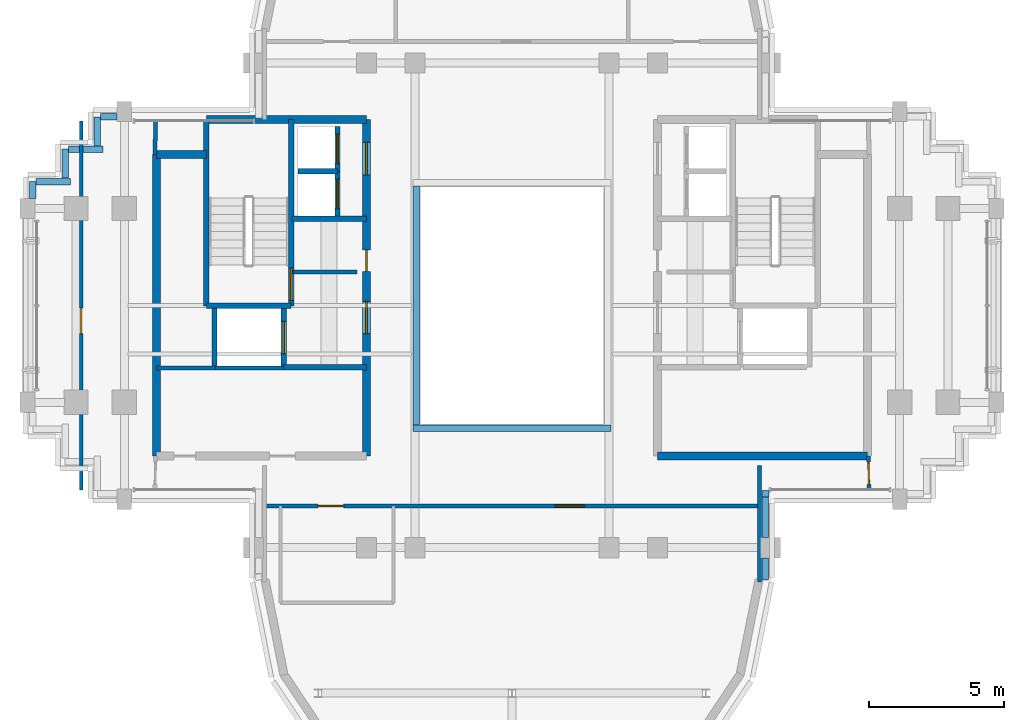
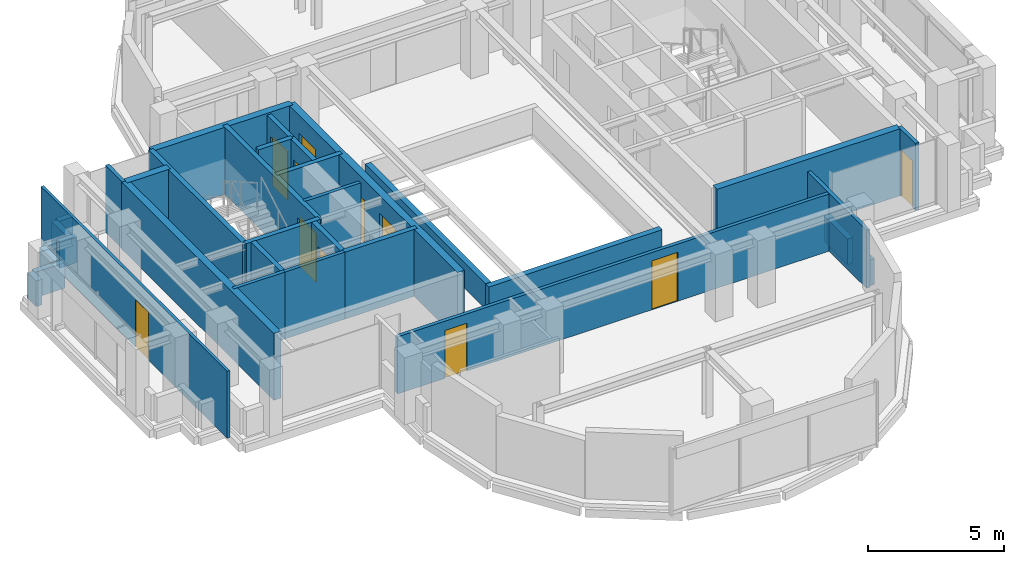
# One storey, part 8 of 12: 35 walls, 11 doors, 11 openings.
"""IFC4 building model written with IfcOpenShell, lengths in metres."""

from ifc_helpers import new_model, si_unit, direction, frame, frame_2d, origin, place, context, subcontext, project, spatial, rectangle, extrude, source, transform, mapped, material, layer, layer_set, type_object, element, fill, save


model = new_model("IFC4")

# Units and contexts
model_context = context("Model", 3, precision=1e-05, world=origin(), true_north=direction((0.0, 1.0)))
body_context = subcontext(model_context, "Body", "Model", "MODEL_VIEW")
ifc_project = project(units=[si_unit("LENGTHUNIT", "METRE"), si_unit("AREAUNIT", "SQUARE_METRE"), si_unit("VOLUMEUNIT", "CUBIC_METRE"), si_unit("PLANEANGLEUNIT", "RADIAN"), si_unit("MASSUNIT", "GRAM", prefix="KILO")], contexts=[model_context])

# Site, building, storey
site_placement = place(None, origin())
site = spatial("IfcSite", under=ifc_project, at=site_placement, CompositionType="ELEMENT")
building_placement = place(site_placement, origin())
building = spatial("IfcBuilding", under=site, at=building_placement, Name="Keilestroom Media Tower", CompositionType="ELEMENT")
storey_placement = place(building_placement, frame((0.0, 0.0, 246.0)))
storey = spatial("IfcBuildingStorey", under=building, at=storey_placement, Name="L68", CompositionType="ELEMENT", Elevation=246.0)

# Wall, opening, door
ifc_material_1 = material(Name="Gypsum Plasterboard & Steel Stud", Category="steel")
ifc_layer_1 = layer(ifc_material_1, 0.1201171875)
ifc_layer_set_1 = layer_set([ifc_layer_1], Name="Gypsum Plasterboard & Steel Stud")
wall_type_1 = type_object("IfcWallType", Name="Interior-Partition-Wall-120", PredefinedType="PARTITIONING", material=ifc_layer_set_1)
wall_1_placement = place(storey_placement, frame((-16.0, -6.85009765625, 0.0), z_axis=(0.0, 0.0, 1.0), x_axis=(0.0, 1.0, 0.0)))
wall_1 = element("IfcWall", 1, at=wall_1_placement, inside=storey, type_object=wall_type_1, Name="L68 Interior Wall WP-L68-WA-V", PredefinedType="PARTITIONING", context=body_context, shape_type="SweptSolid", body=[
    extrude(rectangle(XDim=13.7001953125, YDim=0.1201171875, at=frame_2d((6.85009765625, 0.0))), origin(), (0.0, 0.0, 1.0), 3.010009765625),
])
opening_1_placement = place(wall_1_placement, frame((5.800048828125, 0.0, 0.0)))
opening_1 = element("IfcOpeningElement", 2, at=opening_1_placement, cuts=wall_1, Name="Opening DI-03", PredefinedType="OPENING", context=body_context, shape_type="SweptSolid", body=[
    extrude(rectangle(XDim=0.949951171875, YDim=2.14990234375, at=frame_2d((0.47509765625, 1.074951171875))), frame((0.0, 0.070068359375, 0.0), z_axis=(0.0, -1.0, 0.0), x_axis=(1.0, 0.0, 0.0)), (0.0, 0.0, 1.0), 0.14013671875),
])
ifc_material_2 = material(Name="Lacquered European Oak Leaf", Category="wood")
door_type_1 = type_object("IfcDoorType", Name="Interior-Room-And-Suite-Door-DI-03", OperationType="NOTDEFINED", PredefinedType="DOOR", material=ifc_material_2)
shared_shape_1 = source(origin(), body_context, "Body", "SweptSolid", [
    extrude(rectangle(XDim=0.949951171875, YDim=2.14990234375, at=frame_2d((0.47509765625, 1.074951171875))), frame((0.0, 0.02490234375, 0.0), z_axis=(0.0, -1.0, 0.0), x_axis=(1.0, 0.0, 0.0)), (0.0, 0.0, 1.0), 0.050048828125),
])
door_1_placement = place(opening_1_placement, origin())
door_1 = element("IfcDoor", 3, at=door_1_placement, inside=storey, type_object=door_type_1, Name="L68 Interior Door DI-L68-DWA-W", OperationType="SINGLE_SWING_LEFT", OverallHeight=2.14990234375, OverallWidth=0.949951171875, PredefinedType="DOOR", context=body_context, shape_type="MappedRepresentation", body=[
    mapped(shared_shape_1, transform((0.0, 0.0, 0.0), x_axis=(1.0, 0.0, 0.0), y_axis=(0.0, 1.0, 0.0), z_axis=(0.0, 0.0, 1.0), scale=1.0)),
])
fill(opening_1, door_1)

# Walls
ifc_layer_2 = layer(ifc_material_1, 0.14990234375)
ifc_layer_set_2 = layer_set([ifc_layer_2], Name="Gypsum Plasterboard & Steel Stud")
wall_type_2 = type_object("IfcWallType", Name="Interior-Partition-Wall-150", PredefinedType="PARTITIONING", material=ifc_layer_set_2)
wall_2_placement = place(storey_placement, frame((-8.139892578125, 1.239990234375, 0.0), z_axis=(0.0, 0.0, 1.0), x_axis=(1.0, 0.0, 0.0)))
element("IfcWall", 4, at=wall_2_placement, inside=storey, type_object=wall_type_2, Name="L68 Interior Wall WP-L68-FFW-TOP", PredefinedType="PARTITIONING", context=body_context, shape_type="SweptSolid", body=[
    extrude(rectangle(XDim=2.389892578125, YDim=0.14990234375, at=frame_2d((1.19482421875, 0.0))), origin(), (0.0, 0.0, 1.0), 3.010009765625),
])
wall_3_placement = place(storey_placement, frame((-13.199951171875, -2.320068359375, 0.0), z_axis=(0.0, 0.0, 1.0), x_axis=(1.0, 0.0, 0.0)))
element("IfcWall", 5, at=wall_3_placement, inside=storey, type_object=wall_type_2, Name="L68 Interior Wall WP-L68-RECLW-N", PredefinedType="PARTITIONING", context=body_context, shape_type="SweptSolid", body=[
    extrude(rectangle(XDim=2.179931640625, YDim=0.14990234375, at=frame_2d((1.08984375, 0.0))), origin(), (0.0, 0.0, 1.0), 3.010009765625),
])
wall_4_placement = place(storey_placement, frame((-11.0400390625, -2.320068359375, 0.0), z_axis=(0.0, 0.0, 1.0), x_axis=(1.0, 0.0, 0.0)))
element("IfcWall", 6, at=wall_4_placement, inside=storey, type_object=wall_type_2, Name="L68 Interior Wall WP-L68-RECMW-N", PredefinedType="PARTITIONING", context=body_context, shape_type="SweptSolid", body=[
    extrude(rectangle(XDim=2.56005859375, YDim=0.14990234375, at=frame_2d((1.280029296875, 0.0))), origin(), (0.0, 0.0, 1.0), 3.010009765625),
])

# Wall, openings, doors
wall_5_placement = place(storey_placement, frame((-9.199951171875, -7.449951171875, 0.0), z_axis=(0.0, 0.0, 1.0), x_axis=(1.0, 0.0, 0.0)))
wall_5 = element("IfcWall", 7, at=wall_5_placement, inside=storey, type_object=wall_type_2, Name="L68 Interior Wall WP-L68-SL-BASE", PredefinedType="PARTITIONING", context=body_context, shape_type="SweptSolid", body=[
    extrude(rectangle(XDim=18.39990234375, YDim=0.14990234375, at=frame_2d((9.199951171875, 0.0))), origin(), (0.0, 0.0, 1.0), 2.570068359375),
])
opening_2_placement = place(wall_5_placement, frame((2.0, 0.0, 0.0)))
opening_2 = element("IfcOpeningElement", 8, at=opening_2_placement, cuts=wall_5, Name="Opening DI-03", PredefinedType="OPENING", context=body_context, shape_type="SweptSolid", body=[
    extrude(rectangle(XDim=0.949951171875, YDim=2.14990234375, at=frame_2d((0.47509765625, 1.074951171875))), frame((0.0, 0.0849609375, 0.0), z_axis=(0.0, -1.0, 0.0), x_axis=(1.0, 0.0, 0.0)), (0.0, 0.0, 1.0), 0.169921875),
])
opening_3_placement = place(wall_5_placement, frame((10.800048828125, 0.0, 0.0)))
opening_3 = element("IfcOpeningElement", 9, at=opening_3_placement, cuts=wall_5, Name="Opening DI-04", PredefinedType="OPENING", context=body_context, shape_type="SweptSolid", body=[
    extrude(rectangle(XDim=1.10009765625, YDim=2.199951171875, at=frame_2d((0.550048828125, 1.10009765625))), frame((0.0, 0.0849609375, 0.0), z_axis=(0.0, -1.0, 0.0), x_axis=(1.0, 0.0, 0.0)), (0.0, 0.0, 1.0), 0.169921875),
])
door_2_placement = place(opening_2_placement, origin())
door_2 = element("IfcDoor", 10, at=door_2_placement, inside=storey, type_object=door_type_1, Name="L68 Interior Door DI-L68-DSL-WC4", OperationType="SINGLE_SWING_RIGHT", OverallHeight=2.14990234375, OverallWidth=0.949951171875, PredefinedType="DOOR", context=body_context, shape_type="MappedRepresentation", body=[
    mapped(shared_shape_1, transform((0.0, 0.0, 0.0), x_axis=(1.0, 0.0, 0.0), y_axis=(0.0, 1.0, 0.0), z_axis=(0.0, 0.0, 1.0), scale=1.0)),
])
fill(opening_2, door_2)
ifc_material_3 = material(Name="Acoustic Glazed Aluminium Leaf", Category="aluminium")
door_type_2 = type_object("IfcDoorType", Name="Interior-Room-And-Suite-Door-DI-04", OperationType="NOTDEFINED", PredefinedType="DOOR", material=ifc_material_3)
shared_shape_2 = source(origin(), body_context, "Body", "SweptSolid", [
    extrude(rectangle(XDim=1.10009765625, YDim=2.199951171875, at=frame_2d((0.550048828125, 1.10009765625))), frame((0.0, 0.02490234375, 0.0), z_axis=(0.0, -1.0, 0.0), x_axis=(1.0, 0.0, 0.0)), (0.0, 0.0, 1.0), 0.050048828125),
])
door_3_placement = place(opening_3_placement, origin())
door_3 = element("IfcDoor", 11, at=door_3_placement, inside=storey, type_object=door_type_2, Name="L68 Interior Door DI-L68-DSL-RR", OperationType="SINGLE_SWING_LEFT", OverallHeight=2.199951171875, OverallWidth=1.10009765625, PredefinedType="DOOR", context=body_context, shape_type="MappedRepresentation", body=[
    mapped(shared_shape_2, transform((0.0, 0.0, 0.0), x_axis=(1.0, 0.0, 0.0), y_axis=(0.0, 1.0, 0.0), z_axis=(0.0, 0.0, 1.0), scale=1.0)),
])
fill(opening_3, door_3)

# Walls
wall_6_placement = place(storey_placement, frame((9.199951171875, -10.280029296875, 0.0), z_axis=(0.0, 0.0, 1.0), x_axis=(0.0, 1.0, 0.0)))
element("IfcWall", 12, at=wall_6_placement, inside=storey, type_object=wall_type_2, Name="L68 Interior Wall WP-L68-SL-CHKE", PredefinedType="PARTITIONING", context=body_context, shape_type="SweptSolid", body=[
    extrude(rectangle(XDim=4.340087890625, YDim=0.14990234375, at=frame_2d((2.169921875, 0.0))), origin(), (0.0, 0.0, 1.0), 2.610107421875),
])
wall_7_placement = place(storey_placement, frame((-13.260009765625, 5.60009765625, 0.0), z_axis=(0.0, 0.0, 1.0), x_axis=(0.016013571389, 0.999871774545, 0.0)))
element("IfcWall", 13, at=wall_7_placement, inside=storey, type_object=wall_type_2, Name="L68 Interior Wall WP-L68-WA-ENTN", PredefinedType="PARTITIONING", context=body_context, shape_type="SweptSolid", body=[
    extrude(rectangle(XDim=1.250244140625, YDim=0.14990234375, at=frame_2d((0.625, 0.0))), origin(), (0.0, 0.0, 1.0), 3.010009765625),
])

# Wall, opening, door
wall_8_placement = place(storey_placement, frame((13.260009765625, -6.85009765625, 0.0), z_axis=(0.0, 0.0, 1.0), x_axis=(-0.016013571389, 0.999871774545, 0.0)))
wall_8 = element("IfcWall", 14, at=wall_8_placement, inside=storey, type_object=wall_type_2, Name="L68 Interior Wall WP-L68-EA-ENTS", PredefinedType="PARTITIONING", context=body_context, shape_type="SweptSolid", body=[
    extrude(rectangle(XDim=1.250244140625, YDim=0.14990234375, at=frame_2d((0.625, 0.0))), origin(), (0.0, 0.0, 1.0), 3.010009765625),
])
opening_4_placement = place(wall_8_placement, frame((0.199951171875, 0.0, 0.0)))
opening_4 = element("IfcOpeningElement", 15, at=opening_4_placement, cuts=wall_8, Name="Opening DI-05", PredefinedType="OPENING", context=body_context, shape_type="SweptSolid", body=[
    extrude(rectangle(XDim=0.85009765625, YDim=2.10009765625, at=frame_2d((0.425048828125, 1.050048828125))), frame((0.0, 0.0849609375, 0.0), z_axis=(0.0, -1.0, 0.0), x_axis=(1.0, 0.0, 0.0)), (0.0, 0.0, 1.0), 0.169921875),
])
ifc_material_4 = material(Name="Moisture-Resistant Oak Leaf", Category="wood")
door_type_3 = type_object("IfcDoorType", Name="Interior-En-Suite-And-Cupboard-Door-DI-05", OperationType="NOTDEFINED", PredefinedType="DOOR", material=ifc_material_4)
shared_shape_3 = source(origin(), body_context, "Body", "SweptSolid", [
    extrude(rectangle(XDim=0.85009765625, YDim=2.10009765625, at=frame_2d((0.425048828125, 1.050048828125))), frame((0.0, 0.02490234375, 0.0), z_axis=(0.0, -1.0, 0.0), x_axis=(1.0, 0.0, 0.0)), (0.0, 0.0, 1.0), 0.050048828125),
])
door_4_placement = place(opening_4_placement, origin())
door_4 = element("IfcDoor", 16, at=door_4_placement, inside=storey, type_object=door_type_3, Name="L68 Interior Door DI-L68-DEA-S", OperationType="SINGLE_SWING_RIGHT", OverallHeight=2.10009765625, OverallWidth=0.85009765625, PredefinedType="DOOR", context=body_context, shape_type="MappedRepresentation", body=[
    mapped(shared_shape_3, transform((0.0, 0.0, 0.0), x_axis=(1.0, 0.0, 0.0), y_axis=(0.0, 1.0, 0.0), z_axis=(0.0, 0.0, 1.0), scale=1.0)),
])
fill(opening_4, door_4)

# Wall
ifc_material_5 = material(Name="Concrete C50/60", Category="concrete")
ifc_layer_3 = layer(ifc_material_5, 0.300048828125)
ifc_layer_set_3 = layer_set([ifc_layer_3], Name="Concrete C50/60")
wall_type_3 = type_object("IfcWallType", Name="Reinforced-Concrete-Core-Shear-Wall-300", PredefinedType="SHEAR", material=ifc_layer_set_3)
wall_9_placement = place(storey_placement, frame((-13.199951171875, -5.60009765625, 0.0), z_axis=(0.0, 0.0, 1.0), x_axis=(0.0, 1.0, 0.0)))
element("IfcWall", 17, at=wall_9_placement, inside=storey, type_object=wall_type_3, Name="L68 Core Shear Wall WL-L68-CORE-W-OUT", PredefinedType="SHEAR", context=body_context, shape_type="SweptSolid", body=[
    extrude(rectangle(XDim=11.2001953125, YDim=0.300048828125, at=frame_2d((5.60009765625, 0.0))), origin(), (0.0, 0.0, 1.0), 3.010009765625),
])

# Wall, openings, doors
wall_10_placement = place(storey_placement, frame((-5.39990234375, -5.60009765625, 0.0), z_axis=(0.0, 0.0, 1.0), x_axis=(0.0, 1.0, 0.0)))
wall_10 = element("IfcWall", 18, at=wall_10_placement, inside=storey, type_object=wall_type_3, Name="L68 Core Shear Wall WL-L68-CORE-W-IN", PredefinedType="SHEAR", context=body_context, shape_type="SweptSolid", body=[
    extrude(rectangle(XDim=12.5, YDim=0.300048828125, at=frame_2d((6.25, 0.0))), origin(), (0.0, 0.0, 1.0), 3.010009765625),
])
opening_5_placement = place(wall_10_placement, frame((4.550048828125, 0.0, 0.0)))
opening_5 = element("IfcOpeningElement", 19, at=opening_5_placement, cuts=wall_10, Name="Opening DI-02", PredefinedType="OPENING", context=body_context, shape_type="SweptSolid", body=[
    extrude(rectangle(XDim=1.199951171875, YDim=2.199951171875, at=frame_2d((0.60009765625, 1.10009765625))), frame((0.0, 0.16015625, 0.0), z_axis=(0.0, -1.0, 0.0), x_axis=(1.0, 0.0, 0.0)), (0.0, 0.0, 1.0), 0.320068359375),
])
opening_6_placement = place(wall_10_placement, frame((10.449951171875, 0.0, 0.0)))
opening_6 = element("IfcOpeningElement", 20, at=opening_6_placement, cuts=wall_10, Name="Opening DI-02", PredefinedType="OPENING", context=body_context, shape_type="SweptSolid", body=[
    extrude(rectangle(XDim=1.199951171875, YDim=2.199951171875, at=frame_2d((0.60009765625, 1.10009765625))), frame((0.0, 0.16015625, 0.0), z_axis=(0.0, -1.0, 0.0), x_axis=(1.0, 0.0, 0.0)), (0.0, 0.0, 1.0), 0.320068359375),
])
opening_7_placement = place(wall_10_placement, frame((6.860107421875, 0.0, 0.0)))
opening_7 = element("IfcOpeningElement", 21, at=opening_7_placement, cuts=wall_10, Name="Opening DI-06", PredefinedType="OPENING", context=body_context, shape_type="SweptSolid", body=[
    extrude(rectangle(XDim=0.800048828125, YDim=2.10009765625, at=frame_2d((0.39990234375, 1.050048828125))), frame((0.0, 0.16015625, 0.0), z_axis=(0.0, -1.0, 0.0), x_axis=(1.0, 0.0, 0.0)), (0.0, 0.0, 1.0), 0.320068359375),
])
ifc_material_6 = material(Name="Powder-Coated Steel Fire Leaf", Category="steel")
door_type_4 = type_object("IfcDoorType", Name="Interior-Compartment-Fire-Door-DI-02", OperationType="NOTDEFINED", PredefinedType="DOOR", material=ifc_material_6)
shared_shape_4 = source(origin(), body_context, "Body", "SweptSolid", [
    extrude(rectangle(XDim=1.199951171875, YDim=2.199951171875, at=frame_2d((0.60009765625, 1.10009765625))), frame((0.0, 0.02490234375, 0.0), z_axis=(0.0, -1.0, 0.0), x_axis=(1.0, 0.0, 0.0)), (0.0, 0.0, 1.0), 0.050048828125),
])
door_5_placement = place(opening_5_placement, origin())
door_5 = element("IfcDoor", 22, at=door_5_placement, inside=storey, type_object=door_type_4, Name="L68 W Firefighting Lobby Door", OperationType="SINGLE_SWING_RIGHT", OverallHeight=2.199951171875, OverallWidth=1.199951171875, PredefinedType="DOOR", context=body_context, shape_type="MappedRepresentation", body=[
    mapped(shared_shape_4, transform((0.0, 0.0, 0.0), x_axis=(1.0, 0.0, 0.0), y_axis=(0.0, 1.0, 0.0), z_axis=(0.0, 0.0, 1.0), scale=1.0)),
])
fill(opening_5, door_5)
door_6_placement = place(opening_6_placement, origin())
door_6 = element("IfcDoor", 23, at=door_6_placement, inside=storey, type_object=door_type_4, Name="L68 W High-Rise Lift Lobby Door", OperationType="SINGLE_SWING_LEFT", OverallHeight=2.199951171875, OverallWidth=1.199951171875, PredefinedType="DOOR", context=body_context, shape_type="MappedRepresentation", body=[
    mapped(shared_shape_4, transform((0.0, 0.0, 0.0), x_axis=(1.0, 0.0, 0.0), y_axis=(0.0, 1.0, 0.0), z_axis=(0.0, 0.0, 1.0), scale=1.0)),
])
fill(opening_6, door_6)
ifc_material_7 = material(Name="Powder-Coated Steel Service Leaf", Category="steel")
door_type_5 = type_object("IfcDoorType", Name="Interior-Riser-Access-Door-DI-06", OperationType="NOTDEFINED", PredefinedType="DOOR", material=ifc_material_7)
shared_shape_5 = source(origin(), body_context, "Body", "SweptSolid", [
    extrude(rectangle(XDim=0.800048828125, YDim=2.10009765625, at=frame_2d((0.39990234375, 1.050048828125))), frame((0.0, 0.02490234375, 0.0), z_axis=(0.0, -1.0, 0.0), x_axis=(1.0, 0.0, 0.0)), (0.0, 0.0, 1.0), 0.050048828125),
])
door_7_placement = place(opening_7_placement, origin())
door_7 = element("IfcDoor", 24, at=door_7_placement, inside=storey, type_object=door_type_5, Name="L68 West Core Switchroom Door", OperationType="SINGLE_SWING_LEFT", OverallHeight=2.10009765625, OverallWidth=0.800048828125, PredefinedType="DOOR", context=body_context, shape_type="MappedRepresentation", body=[
    mapped(shared_shape_5, transform((0.0, 0.0, 0.0), x_axis=(1.0, 0.0, 0.0), y_axis=(0.0, 1.0, 0.0), z_axis=(0.0, 0.0, 1.0), scale=1.0)),
])
fill(opening_7, door_7)

# Walls
wall_11_placement = place(storey_placement, frame((-11.35595703125, 6.89990234375, 0.0), z_axis=(0.0, 0.0, 1.0), x_axis=(1.0, 0.0, 0.0)))
element("IfcWall", 25, at=wall_11_placement, inside=storey, type_object=wall_type_3, Name="L68 Core Shear Wall WL-L68-CORE-W-N", PredefinedType="SHEAR", context=body_context, shape_type="SweptSolid", body=[
    extrude(rectangle(XDim=5.9560546875, YDim=0.300048828125, at=frame_2d((2.97802734375, 0.0))), origin(), (0.0, 0.0, 1.0), 3.010009765625),
])
wall_12_placement = place(storey_placement, frame((-13.199951171875, 5.60009765625, 0.0), z_axis=(0.0, 0.0, 1.0), x_axis=(1.0, 0.0, 0.0)))
element("IfcWall", 26, at=wall_12_placement, inside=storey, type_object=wall_type_3, Name="L68 Core Shear Wall WL-L68-CNW-N", PredefinedType="SHEAR", context=body_context, shape_type="SweptSolid", body=[
    extrude(rectangle(XDim=1.843994140625, YDim=0.300048828125, at=frame_2d((0.921875, 0.0))), origin(), (0.0, 0.0, 1.0), 3.010009765625),
])
wall_13_placement = place(storey_placement, frame((5.39990234375, -5.60009765625, 0.0), z_axis=(0.0, 0.0, 1.0), x_axis=(1.0, 0.0, 0.0)))
element("IfcWall", 27, at=wall_13_placement, inside=storey, type_object=wall_type_3, Name="L68 Core Shear Wall WL-L68-CORE-E-S", PredefinedType="SHEAR", context=body_context, shape_type="SweptSolid", body=[
    extrude(rectangle(XDim=7.800048828125, YDim=0.300048828125, at=frame_2d((3.89990234375, 0.0))), origin(), (0.0, 0.0, 1.0), 3.010009765625),
])
ifc_layer_4 = layer(ifc_material_5, 0.199951171875)
ifc_layer_set_4 = layer_set([ifc_layer_4], Name="Concrete C50/60")
wall_type_4 = type_object("IfcWallType", Name="Reinforced-Concrete-Shaft-Wall-200", PredefinedType="SOLIDWALL", material=ifc_layer_set_4)
wall_14_placement = place(storey_placement, frame((-8.179931640625, 3.219970703125, 0.0), z_axis=(0.0, 0.0, 1.0), x_axis=(1.0, 0.0, 0.0)))
element("IfcWall", 28, at=wall_14_placement, inside=storey, type_object=wall_type_4, Name="L68 Core Shear Wall WL-L68-CORE-W-FFN", PredefinedType="SOLIDWALL", context=body_context, shape_type="SweptSolid", body=[
    extrude(rectangle(XDim=2.780029296875, YDim=0.199951171875, at=frame_2d((1.39013671875, 0.0))), origin(), (0.0, 0.0, 1.0), 3.010009765625),
])
wall_15_placement = place(storey_placement, frame((-8.47998046875, -2.300048828125, 0.0), z_axis=(0.0, 0.0, 1.0), x_axis=(1.0, 0.0, 0.0)))
element("IfcWall", 29, at=wall_15_placement, inside=storey, type_object=wall_type_4, Name="L68 Core Shear Wall WL-L68-CORE-W-FFS", PredefinedType="SOLIDWALL", context=body_context, shape_type="SweptSolid", body=[
    extrude(rectangle(XDim=3.080078125, YDim=0.199951171875, at=frame_2d((1.5400390625, 0.0))), origin(), (0.0, 0.0, 1.0), 3.010009765625),
])

# Wall, opening, door
wall_16_placement = place(storey_placement, frame((-8.2041015625, -0.01611328125, 0.0), z_axis=(0.0, 0.0, 1.0), x_axis=(0.0, 1.0, 0.0)))
wall_16 = element("IfcWall", 30, at=wall_16_placement, inside=storey, type_object=wall_type_4, Name="L68 Core Shear Wall WL-L68-STW-W-NEAR", PredefinedType="SOLIDWALL", context=body_context, shape_type="SweptSolid", body=[
    extrude(rectangle(XDim=6.916015625, YDim=0.199951171875, at=frame_2d((3.4580078125, 0.0))), origin(), (0.0, 0.0, 1.0), 3.010009765625),
])
opening_8_placement = place(wall_16_placement, frame((0.199951171875, 0.0, 0.0)))
opening_8 = element("IfcOpeningElement", 31, at=opening_8_placement, cuts=wall_16, Name="Opening DI-01S", PredefinedType="OPENING", context=body_context, shape_type="SweptSolid", body=[
    extrude(rectangle(XDim=1.199951171875, YDim=2.199951171875, at=frame_2d((0.60009765625, 1.10009765625))), frame((0.0, 0.10986328125, 0.0), z_axis=(0.0, -1.0, 0.0), x_axis=(1.0, 0.0, 0.0)), (0.0, 0.0, 1.0), 0.219970703125),
])
door_type_6 = type_object("IfcDoorType", Name="Interior-Stair-And-Core-Fire-Door-DI-01", OperationType="NOTDEFINED", PredefinedType="DOOR", material=ifc_material_6)
door_8_placement = place(opening_8_placement, origin())
door_8 = element("IfcDoor", 32, at=door_8_placement, inside=storey, type_object=door_type_6, Name="L68 Escape Stair ST-1 Fire Door", OperationType="SINGLE_SWING_LEFT", OverallHeight=2.199951171875, OverallWidth=1.199951171875, PredefinedType="DOOR", context=body_context, shape_type="MappedRepresentation", body=[
    mapped(shared_shape_4, transform((0.0, 0.0, 0.0), x_axis=(1.0, 0.0, 0.0), y_axis=(0.0, 1.0, 0.0), z_axis=(0.0, 0.0, 1.0), scale=1.0)),
])
fill(opening_8, door_8)

# Walls
wall_17_placement = place(storey_placement, frame((-11.35595703125, -0.01611328125, 0.0), z_axis=(0.0, 0.0, 1.0), x_axis=(0.0, 1.0, 0.0)))
element("IfcWall", 33, at=wall_17_placement, inside=storey, type_object=wall_type_4, Name="L68 Core Shear Wall WL-L68-STW-W-FAR", PredefinedType="SOLIDWALL", context=body_context, shape_type="SweptSolid", body=[
    extrude(rectangle(XDim=6.916015625, YDim=0.199951171875, at=frame_2d((3.4580078125, 0.0))), origin(), (0.0, 0.0, 1.0), 3.010009765625),
])
wall_18_placement = place(storey_placement, frame((-11.35595703125, -0.01611328125, 0.0), z_axis=(0.0, 0.0, 1.0), x_axis=(1.0, 0.0, 0.0)))
element("IfcWall", 34, at=wall_18_placement, inside=storey, type_object=wall_type_4, Name="L68 Core Shear Wall WL-L68-STW-W-S", PredefinedType="SOLIDWALL", context=body_context, shape_type="SweptSolid", body=[
    extrude(rectangle(XDim=3.15185546875, YDim=0.199951171875, at=frame_2d((1.575927734375, 0.0))), origin(), (0.0, 0.0, 1.0), 3.010009765625),
])
wall_19_placement = place(storey_placement, frame((-11.050048828125, -2.280029296875, 0.0), z_axis=(0.0, 0.0, 1.0), x_axis=(0.0, 1.0, 0.0)))
element("IfcWall", 35, at=wall_19_placement, inside=storey, type_object=wall_type_4, Name="L68 Core Shear Wall WL-L68-LSH-FFL-1-W", PredefinedType="SOLIDWALL", context=body_context, shape_type="SweptSolid", body=[
    extrude(rectangle(XDim=2.179931640625, YDim=0.199951171875, at=frame_2d((1.08984375, 0.0))), origin(), (0.0, 0.0, 1.0), 3.010009765625),
])

# Wall, opening, door
wall_20_placement = place(storey_placement, frame((-8.47998046875, -2.280029296875, 0.0), z_axis=(0.0, 0.0, 1.0), x_axis=(0.0, 1.0, 0.0)))
wall_20 = element("IfcWall", 36, at=wall_20_placement, inside=storey, type_object=wall_type_4, Name="L68 Core Shear Wall WL-L68-LSH-FFL-1-E", PredefinedType="SOLIDWALL", context=body_context, shape_type="SweptSolid", body=[
    extrude(rectangle(XDim=2.179931640625, YDim=0.199951171875, at=frame_2d((1.08984375, 0.0))), origin(), (0.0, 0.0, 1.0), 3.010009765625),
])
opening_9_placement = place(wall_20_placement, frame((0.489990234375, 0.0, 0.0)))
opening_9 = element("IfcOpeningElement", 37, at=opening_9_placement, cuts=wall_20, Name="Opening LD-02", PredefinedType="OPENING", context=body_context, shape_type="SweptSolid", body=[
    extrude(rectangle(XDim=1.199951171875, YDim=2.199951171875, at=frame_2d((0.60009765625, 1.10009765625))), frame((0.0, 0.10986328125, 0.0), z_axis=(0.0, -1.0, 0.0), x_axis=(1.0, 0.0, 0.0)), (0.0, 0.0, 1.0), 0.219970703125),
])
ifc_material_8 = material(Name="Brushed Stainless Steel Sliding Leaf", Category="steel")
door_type_7 = type_object("IfcDoorType", Name="Lift-Landing-Sliding-Door-LD-02", OperationType="SLIDING_TO_RIGHT", PredefinedType="DOOR", material=ifc_material_8)
door_9_placement = place(opening_9_placement, origin())
door_9 = element("IfcDoor", 38, at=door_9_placement, inside=storey, type_object=door_type_7, Name="L68 Lift FFL-1 Landing Sliding Door", OperationType="SLIDING_TO_RIGHT", OverallHeight=2.199951171875, OverallWidth=1.199951171875, PredefinedType="DOOR", context=body_context, shape_type="MappedRepresentation", body=[
    mapped(shared_shape_4, transform((0.0, 0.0, 0.0), x_axis=(1.0, 0.0, 0.0), y_axis=(0.0, 1.0, 0.0), z_axis=(0.0, 0.0, 1.0), scale=1.0)),
])
fill(opening_9, door_9)

wall_21_placement = place(storey_placement, frame((-6.47998046875, 3.300048828125, 0.0), z_axis=(0.0, 0.0, 1.0), x_axis=(0.0, 1.0, 0.0)))
wall_21 = element("IfcWall", 39, at=wall_21_placement, inside=storey, type_object=wall_type_4, Name="L68 Core Shear Wall WL-L68-LSH-PL-H1-E", PredefinedType="SOLIDWALL", context=body_context, shape_type="SweptSolid", body=[
    extrude(rectangle(XDim=1.679931640625, YDim=0.199951171875, at=frame_2d((0.83984375, 0.0))), origin(), (0.0, 0.0, 1.0), 3.010009765625),
])
opening_10_placement = place(wall_21_placement, frame((0.2900390625, 0.0, 0.0)))
opening_10 = element("IfcOpeningElement", 40, at=opening_10_placement, cuts=wall_21, Name="Opening LD-01", PredefinedType="OPENING", context=body_context, shape_type="SweptSolid", body=[
    extrude(rectangle(XDim=1.10009765625, YDim=2.199951171875, at=frame_2d((0.550048828125, 1.10009765625))), frame((0.0, 0.10986328125, 0.0), z_axis=(0.0, -1.0, 0.0), x_axis=(1.0, 0.0, 0.0)), (0.0, 0.0, 1.0), 0.219970703125),
])
door_type_8 = type_object("IfcDoorType", Name="Lift-Landing-Sliding-Door-LD-01", OperationType="SLIDING_TO_LEFT", PredefinedType="DOOR", material=ifc_material_8)
door_10_placement = place(opening_10_placement, origin())
door_10 = element("IfcDoor", 41, at=door_10_placement, inside=storey, type_object=door_type_8, Name="L68 Lift PL-H1 Landing Sliding Door", OperationType="SLIDING_TO_LEFT", OverallHeight=2.199951171875, OverallWidth=1.10009765625, PredefinedType="DOOR", context=body_context, shape_type="MappedRepresentation", body=[
    mapped(shared_shape_2, transform((0.0, 0.0, 0.0), x_axis=(1.0, 0.0, 0.0), y_axis=(0.0, 1.0, 0.0), z_axis=(0.0, 0.0, 1.0), scale=1.0)),
])
fill(opening_10, door_10)

# Wall
wall_22_placement = place(storey_placement, frame((-7.949951171875, 4.97998046875, 0.0), z_axis=(0.0, 0.0, 1.0), x_axis=(1.0, 0.0, 0.0)))
element("IfcWall", 42, at=wall_22_placement, inside=storey, type_object=wall_type_4, Name="L68 Core Shear Wall WL-L68-LSH-PL-H1-N", PredefinedType="SOLIDWALL", context=body_context, shape_type="SweptSolid", body=[
    extrude(rectangle(XDim=1.469970703125, YDim=0.199951171875, at=frame_2d((0.73486328125, 0.0))), origin(), (0.0, 0.0, 1.0), 3.010009765625),
])

# Wall, opening, door
wall_23_placement = place(storey_placement, frame((-6.47998046875, 4.97998046875, 0.0), z_axis=(0.0, 0.0, 1.0), x_axis=(0.0, 1.0, 0.0)))
wall_23 = element("IfcWall", 43, at=wall_23_placement, inside=storey, type_object=wall_type_4, Name="L68 Core Shear Wall WL-L68-LSH-PL-H2-E", PredefinedType="SOLIDWALL", context=body_context, shape_type="SweptSolid", body=[
    extrude(rectangle(XDim=1.669921875, YDim=0.199951171875, at=frame_2d((0.8349609375, 0.0))), origin(), (0.0, 0.0, 1.0), 3.010009765625),
])
opening_11_placement = place(wall_23_placement, frame((0.284912109375, 0.0, 0.0)))
opening_11 = element("IfcOpeningElement", 44, at=opening_11_placement, cuts=wall_23, Name="Opening LD-01", PredefinedType="OPENING", context=body_context, shape_type="SweptSolid", body=[
    extrude(rectangle(XDim=1.10009765625, YDim=2.199951171875, at=frame_2d((0.550048828125, 1.10009765625))), frame((0.0, 0.10986328125, 0.0), z_axis=(0.0, -1.0, 0.0), x_axis=(1.0, 0.0, 0.0)), (0.0, 0.0, 1.0), 0.219970703125),
])
door_11_placement = place(opening_11_placement, origin())
door_11 = element("IfcDoor", 45, at=door_11_placement, inside=storey, type_object=door_type_8, Name="L68 Lift PL-H2 Landing Sliding Door", OperationType="SLIDING_TO_LEFT", OverallHeight=2.199951171875, OverallWidth=1.10009765625, PredefinedType="DOOR", context=body_context, shape_type="MappedRepresentation", body=[
    mapped(shared_shape_2, transform((0.0, 0.0, 0.0), x_axis=(1.0, 0.0, 0.0), y_axis=(0.0, 1.0, 0.0), z_axis=(0.0, 0.0, 1.0), scale=1.0)),
])
fill(opening_11, door_11)

# Walls
ifc_material_9 = material(Name="Precast concrete C40/50", Category="concrete")
ifc_layer_5 = layer(ifc_material_9, 0.239990234375)
ifc_layer_set_5 = layer_set([ifc_layer_5], Name="Precast concrete C40/50")
wall_type_5 = type_object("IfcWallType", Name="Roof-And-Terrace-Parapet-Wall-240", PredefinedType="PARAPET", material=ifc_layer_set_5)
wall_24_placement = place(storey_placement, frame((9.547119140625, -7.0, 0.0), z_axis=(0.0, 0.0, 1.0), x_axis=(-1.0, 0.0, 0.0)))
element("IfcWall", 46, at=wall_24_placement, inside=storey, type_object=wall_type_5, Name="L68 Perimeter Edge Parapet Wall 06", PredefinedType="PARAPET", context=body_context, shape_type="SweptSolid", body=[
    extrude(rectangle(XDim=0.26904296875, YDim=0.239990234375, at=frame_2d((0.134521484375, 0.0))), origin(), (0.0, 0.0, 1.0), 1.14990234375),
])
wall_25_placement = place(storey_placement, frame((9.39990234375, -7.123046875, 0.0), z_axis=(0.0, 0.0, 1.0), x_axis=(0.0, -1.0, 0.0)))
element("IfcWall", 47, at=wall_25_placement, inside=storey, type_object=wall_type_5, Name="L68 Perimeter Edge Parapet Wall 07", PredefinedType="PARAPET", context=body_context, shape_type="SweptSolid", body=[
    extrude(rectangle(XDim=1.4990234375, YDim=0.239990234375, at=frame_2d((0.74951171875, 0.0))), origin(), (0.0, 0.0, 1.0), 1.14990234375),
])
wall_26_placement = place(storey_placement, frame((9.39990234375, -9.3779296875, 0.0), z_axis=(0.0, 0.0, 1.0), x_axis=(0.0, -1.0, 0.0)))
element("IfcWall", 48, at=wall_26_placement, inside=storey, type_object=wall_type_5, Name="L68 Perimeter Edge Parapet Wall 08", PredefinedType="PARAPET", context=body_context, shape_type="SweptSolid", body=[
    extrude(rectangle(XDim=0.824951171875, YDim=0.239990234375, at=frame_2d((0.41259765625, 0.0))), origin(), (0.0, 0.0, 1.0), 1.14990234375),
])
wall_27_placement = place(storey_placement, frame((-17.800048828125, 3.97802734375, 0.0), z_axis=(0.0, 0.0, 1.0), x_axis=(0.0, 1.0, 0.0)))
element("IfcWall", 49, at=wall_27_placement, inside=storey, type_object=wall_type_5, Name="L68 Perimeter Edge Parapet Wall 19", PredefinedType="PARAPET", context=body_context, shape_type="SweptSolid", body=[
    extrude(rectangle(XDim=0.6220703125, YDim=0.239990234375, at=frame_2d((0.31103515625, 0.0))), origin(), (0.0, 0.0, 1.0), 1.14990234375),
])
wall_28_placement = place(storey_placement, frame((-17.677001953125, 4.60009765625, 0.0), z_axis=(0.0, 0.0, 1.0), x_axis=(1.0, 0.0, 0.0)))
element("IfcWall", 50, at=wall_28_placement, inside=storey, type_object=wall_type_5, Name="L68 Perimeter Edge Parapet Wall 20", PredefinedType="PARAPET", context=body_context, shape_type="SweptSolid", body=[
    extrude(rectangle(XDim=1.277099609375, YDim=0.239990234375, at=frame_2d((0.638671875, 0.0))), origin(), (0.0, 0.0, 1.0), 1.14990234375),
])
wall_29_placement = place(storey_placement, frame((-16.60009765625, 4.722900390625, 0.0), z_axis=(0.0, 0.0, 1.0), x_axis=(0.0, 1.0, 0.0)))
element("IfcWall", 51, at=wall_29_placement, inside=storey, type_object=wall_type_5, Name="L68 Perimeter Edge Parapet Wall 21", PredefinedType="PARAPET", context=body_context, shape_type="SweptSolid", body=[
    extrude(rectangle(XDim=1.0771484375, YDim=0.239990234375, at=frame_2d((0.53857421875, 0.0))), origin(), (0.0, 0.0, 1.0), 1.14990234375),
])
wall_30_placement = place(storey_placement, frame((-16.47705078125, 5.800048828125, 0.0), z_axis=(0.0, 0.0, 1.0), x_axis=(1.0, 0.0, 0.0)))
element("IfcWall", 52, at=wall_30_placement, inside=storey, type_object=wall_type_5, Name="L68 Perimeter Edge Parapet Wall 22", PredefinedType="PARAPET", context=body_context, shape_type="SweptSolid", body=[
    extrude(rectangle(XDim=0.4140625, YDim=0.239990234375, at=frame_2d((0.20703125, 0.0))), origin(), (0.0, 0.0, 1.0), 1.14990234375),
])
wall_31_placement = place(storey_placement, frame((-15.93701171875, 5.800048828125, 0.0), z_axis=(0.0, 0.0, 1.0), x_axis=(1.0, 0.0, 0.0)))
element("IfcWall", 53, at=wall_31_placement, inside=storey, type_object=wall_type_5, Name="L68 Perimeter Edge Parapet Wall 23", PredefinedType="PARAPET", context=body_context, shape_type="SweptSolid", body=[
    extrude(rectangle(XDim=0.737060546875, YDim=0.239990234375, at=frame_2d((0.36865234375, 0.0))), origin(), (0.0, 0.0, 1.0), 1.14990234375),
])
wall_32_placement = place(storey_placement, frame((-15.39990234375, 5.923095703125, 0.0), z_axis=(0.0, 0.0, 1.0), x_axis=(0.0, 1.0, 0.0)))
element("IfcWall", 54, at=wall_32_placement, inside=storey, type_object=wall_type_5, Name="L68 Perimeter Edge Parapet Wall 24", PredefinedType="PARAPET", context=body_context, shape_type="SweptSolid", body=[
    extrude(rectangle(XDim=1.076904296875, YDim=0.239990234375, at=frame_2d((0.53857421875, 0.0))), origin(), (0.0, 0.0, 1.0), 1.14990234375),
])
wall_33_placement = place(storey_placement, frame((-15.277099609375, 7.0, 0.0), z_axis=(0.0, 0.0, 1.0), x_axis=(1.0, 0.0, 0.0)))
element("IfcWall", 55, at=wall_33_placement, inside=storey, type_object=wall_type_5, Name="L68 Perimeter Edge Parapet Wall 25", PredefinedType="PARAPET", context=body_context, shape_type="SweptSolid", body=[
    extrude(rectangle(XDim=0.59912109375, YDim=0.239990234375, at=frame_2d((0.299560546875, 0.0))), origin(), (0.0, 0.0, 1.0), 1.14990234375),
])
wall_34_placement = place(storey_placement, frame((-3.679931640625, -4.56005859375, 0.0), z_axis=(0.0, 0.0, 1.0), x_axis=(1.0, 0.0, 0.0)))
element("IfcWall", 56, at=wall_34_placement, inside=storey, type_object=wall_type_5, Name="L68 Central Atrium Guard Parapet S", PredefinedType="PARAPET", context=body_context, shape_type="SweptSolid", body=[
    extrude(rectangle(XDim=7.35986328125, YDim=0.239990234375, at=frame_2d((3.679931640625, 0.0))), origin(), (0.0, 0.0, 1.0), 1.14990234375),
])
wall_35_placement = place(storey_placement, frame((-3.56005859375, -4.43505859375, 0.0), z_axis=(0.0, 0.0, 1.0), x_axis=(0.0, 1.0, 0.0)))
element("IfcWall", 57, at=wall_35_placement, inside=storey, type_object=wall_type_5, Name="L68 Central Atrium Guard Parapet W", PredefinedType="PARAPET", context=body_context, shape_type="SweptSolid", body=[
    extrude(rectangle(XDim=8.8701171875, YDim=0.239990234375, at=frame_2d((4.43505859375, 0.0))), origin(), (0.0, 0.0, 1.0), 1.14990234375),
])

save(model, "model.ifc")
